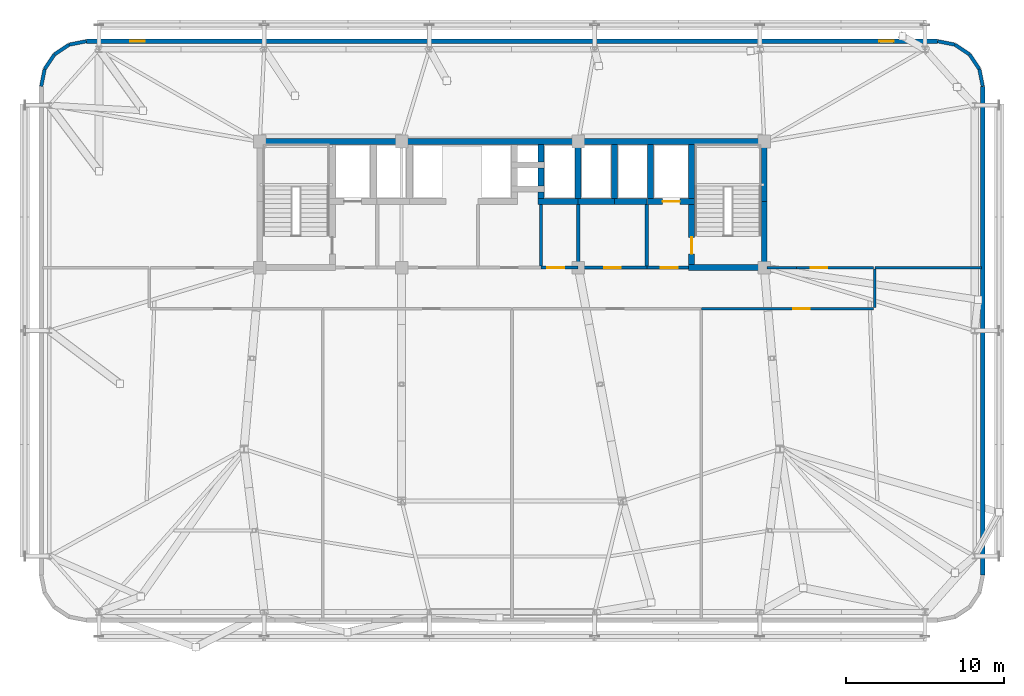
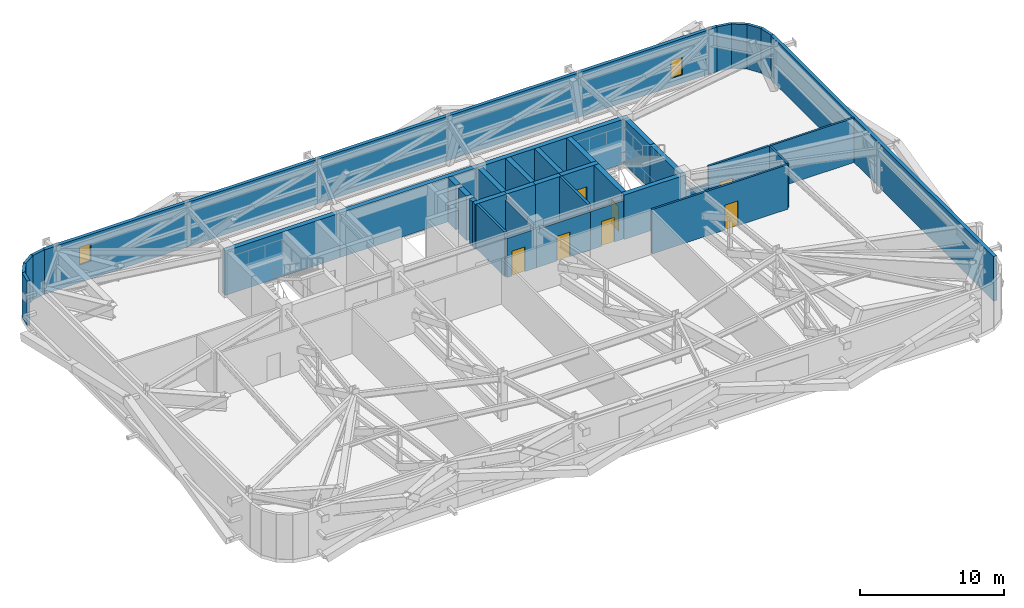
# One storey, part 22 of 24: 39 walls, 7 doors, 2 windows, 9 openings.
"""IFC4 building model written with IfcOpenShell, lengths in metres."""

from ifc_helpers import new_model, si_unit, direction, frame, frame_2d, origin, place, context, subcontext, project, spatial, rectangle, extrude, source, transform, mapped, material, layer, layer_set, type_object, element, fill, save


model = new_model("IFC4")

# Units and contexts
model_context = context("Model", 3, precision=1e-05, world=origin(), true_north=direction((0.0, 1.0)))
body_context = subcontext(model_context, "Body", "Model", "MODEL_VIEW")
ifc_project = project(units=[si_unit("LENGTHUNIT", "METRE"), si_unit("AREAUNIT", "SQUARE_METRE"), si_unit("VOLUMEUNIT", "CUBIC_METRE"), si_unit("PLANEANGLEUNIT", "RADIAN"), si_unit("MASSUNIT", "GRAM", prefix="KILO")], contexts=[model_context])

# Site, building, storey
site_placement = place(None, origin())
site = spatial("IfcSite", under=ifc_project, at=site_placement, CompositionType="ELEMENT")
building_placement = place(site_placement, origin())
building = spatial("IfcBuilding", under=site, at=building_placement, Name="Taldren Reach Tower", CompositionType="ELEMENT")
storey_placement = place(building_placement, frame((0.0, 0.0, 60.89990234375)))
storey = spatial("IfcBuildingStorey", under=building, at=storey_placement, Name="L18", CompositionType="ELEMENT", Elevation=60.89990234375)

# Walls
ifc_material_1 = material(Name="Pale Champagne Anodised Aluminium Cladding", Category="aluminium")
ifc_layer_1 = layer(ifc_material_1, 0.04, Name="Pale Champagne Anodised Aluminium Cladding", Category="aluminium")
ifc_material_2 = material(Name="Mineral Wool Acoustic Insulation", Category="insulation")
ifc_layer_2 = layer(ifc_material_2, 0.06, Name="Mineral Wool Acoustic Insulation", Category="insulation")
ifc_material_3 = material(Name="Steel Gr 350 (C350L0)", Category="steel")
ifc_layer_3 = layer(ifc_material_3, 0.12, Name="Steel Gr 350 (C350L0)", Category="steel")
ifc_layer_set_1 = layer_set([ifc_layer_1, ifc_layer_2, ifc_layer_3], Name="Pale Champagne Aluminium Cladding and Steel Gr 350 Stud Framing")
wall_type_1 = type_object("IfcWallType", Name="EW-CRN-220", PredefinedType="SOLIDWALL", material=ifc_layer_set_1)
shared_shape_1 = source(origin(), body_context, "Body", "SweptSolid", [
    extrude(rectangle(XDim=1.115966796875, YDim=0.219970703125, at=frame_2d((0.55810546875, 0.0))), origin(), (0.0, 0.0, 1.0), 3.780029296875),
])
for number, where, z_axis, x_axis, name in (
    (1, (64.860107421875, 35.5, 0.0), (0.0, 0.0, 1.0), (-0.195148375659, 0.98077373103, 0.0), "Rounded-corner pale-metal facade wall L18-NE1"),
    (2, (64.642333984375, 36.594482421875, 0.0), (0.0, 0.0, 1.0), (-0.555709556774, 0.83137650226, 0.0), "Rounded-corner pale-metal facade wall L18-NE2"),
    (3, (64.022216796875, 37.522216796875, 0.0), (0.0, 0.0, 1.0), (-0.83137650226, 0.555709556774, 0.0), "Rounded-corner pale-metal facade wall L18-NE3"),
    (4, (63.094482421875, 38.142333984375, 0.0), (0.0, 0.0, 1.0), (-0.98077373103, 0.195148375659, 0.0), "Rounded-corner pale-metal facade wall L18-NE4"),
    (5, (8.0, 38.360107421875, 0.0), (0.0, 0.0, 1.0), (-0.98077373103, -0.195148375659, 0.0), "Rounded-corner pale-metal facade wall L18-NW1"),
    (6, (6.905517578125, 38.142333984375, 0.0), (0.0, 0.0, 1.0), (-0.83137650226, -0.555709556774, 0.0), "Rounded-corner pale-metal facade wall L18-NW2"),
    (7, (5.977783203125, 37.522216796875, 0.0), (0.0, 0.0, 1.0), (-0.555709556774, -0.83137650226, 0.0), "Rounded-corner pale-metal facade wall L18-NW3"),
    (8, (5.357666015625, 36.594482421875, 0.0), (0.0, 0.0, 1.0), (-0.195148375659, -0.98077373103, 0.0), "Rounded-corner pale-metal facade wall L18-NW4"),
):
    element("IfcWall", number, at=place(storey_placement, frame(where, z_axis=z_axis, x_axis=x_axis)), inside=storey, type_object=wall_type_1, Name=name, PredefinedType="SOLIDWALL", context=body_context, shape_type="MappedRepresentation", body=[
        mapped(shared_shape_1, transform((0.0, 0.0, 0.0), scale=1.0)),
    ])

# Wall, openings, windows
ifc_material_4 = material(Name="Perforated Anodised Aluminium Acoustic Liner", Category="aluminium")
ifc_layer_4 = layer(ifc_material_4, 0.04, Name="Perforated Anodised Aluminium Acoustic Liner", Category="aluminium")
ifc_layer_5 = layer(ifc_material_2, 0.08, Name="Mineral Wool Acoustic Insulation", Category="insulation")
ifc_layer_6 = layer(ifc_material_3, 0.15, Name="Steel Gr 350 (C350L0)", Category="steel")
ifc_layer_set_2 = layer_set([ifc_layer_4, ifc_layer_5, ifc_layer_6], Name="Perforated Anodised Aluminium Liner and Steel Gr 350 Stud Framing")
wall_type_2 = type_object("IfcWallType", Name="EW-PLT-270", PredefinedType="SOLIDWALL", material=ifc_layer_set_2)
shared_shape_2 = source(origin(), body_context, "Body", "SweptSolid", [
    extrude(rectangle(XDim=54.0, YDim=0.27001953125, at=frame_2d((27.0, 0.0))), origin(), (0.0, 0.0, 1.0), 3.780029296875),
])
wall_1_placement = place(storey_placement, frame((62.0, 38.360107421875, 0.0), z_axis=(0.0, 0.0, 1.0), x_axis=(-1.0, 0.0, 0.0)))
wall_1 = element("IfcWall", 9, at=wall_1_placement, inside=storey, type_object=wall_type_2, Name="Plant floor perimeter enclosure wall L18-N", PredefinedType="SOLIDWALL", context=body_context, shape_type="MappedRepresentation", body=[
    mapped(shared_shape_2, transform((0.0, 0.0, 0.0), scale=1.0)),
])
shared_shape_3 = source(origin(), body_context, "Body", "SweptSolid", [
    extrude(rectangle(XDim=0.89990234375, YDim=1.5, at=frame_2d((0.449951171875, 0.75))), frame((0.0, 0.14501953125, 0.0), z_axis=(0.0, -1.0, 0.0), x_axis=(1.0, 0.0, 0.0)), (0.0, 0.0, 1.0), 0.2900390625),
])
opening_1_placement = place(wall_1_placement, frame((2.800048828125, 0.0, 0.699951171875)))
opening_1 = element("IfcOpeningElement", 10, at=opening_1_placement, cuts=wall_1, Name="Opening W-0915", PredefinedType="OPENING", context=body_context, shape_type="MappedRepresentation", body=[
    mapped(shared_shape_3, transform((0.0, 0.0, 0.0), scale=1.0)),
])
opening_2_placement = place(wall_1_placement, frame((50.300048828125, 0.0, 1.5)))
opening_2 = element("IfcOpeningElement", 11, at=opening_2_placement, cuts=wall_1, Name="Opening W-0915", PredefinedType="OPENING", context=body_context, shape_type="MappedRepresentation", body=[
    mapped(shared_shape_3, transform((0.0, 0.0, 0.0), scale=1.0)),
])
ifc_material_5 = material(Name="Thermally Broken Aluminium and Low-E IGU", Category="aluminium")
window_type = type_object("IfcWindowType", Name="WN-REF-0900", PartitioningType="SINGLE_PANEL", PredefinedType="WINDOW", material=ifc_material_5)
shared_shape_4 = source(origin(), body_context, "Body", "SweptSolid", [
    extrude(rectangle(XDim=0.89990234375, YDim=1.5, at=frame_2d((0.449951171875, 0.75))), frame((0.0, 0.030029296875, 0.0), z_axis=(0.0, -1.0, 0.0), x_axis=(1.0, 0.0, 0.0)), (0.0, 0.0, 1.0), 0.06005859375),
])
window_1_placement = place(opening_1_placement, origin())
window_1 = element("IfcWindow", 12, at=window_1_placement, inside=storey, type_object=window_type, Name="Refuge area daylight window L18-1", OverallHeight=1.5, OverallWidth=0.89990234375, PartitioningType="SINGLE_PANEL", PredefinedType="WINDOW", context=body_context, shape_type="MappedRepresentation", body=[
    mapped(shared_shape_4, transform((0.0, 0.0, 0.0), scale=1.0)),
])
fill(opening_1, window_1)
window_2_placement = place(opening_2_placement, origin())
window_2 = element("IfcWindow", 13, at=window_2_placement, inside=storey, type_object=window_type, Name="Refuge area daylight window L18-2", OverallHeight=1.5, OverallWidth=0.89990234375, PartitioningType="SINGLE_PANEL", PredefinedType="WINDOW", context=body_context, shape_type="MappedRepresentation", body=[
    mapped(shared_shape_4, transform((0.0, 0.0, 0.0), scale=1.0)),
])
fill(opening_2, window_2)

# Walls
shared_shape_5 = source(origin(), body_context, "Body", "SweptSolid", [
    extrude(rectangle(XDim=31.0, YDim=0.27001953125, at=frame_2d((15.5, 0.0))), origin(), (0.0, 0.0, 1.0), 3.780029296875),
])
wall_2_placement = place(storey_placement, frame((64.860107421875, 4.5, 0.0), z_axis=(0.0, 0.0, 1.0), x_axis=(0.0, 1.0, 0.0)))
element("IfcWall", 14, at=wall_2_placement, inside=storey, type_object=wall_type_2, Name="Plant floor perimeter enclosure wall L18-E", PredefinedType="SOLIDWALL", context=body_context, shape_type="MappedRepresentation", body=[
    mapped(shared_shape_5, transform((0.0, 0.0, 0.0), scale=1.0)),
])
ifc_material_6 = material(Name="Concrete S80 (80 MPa)", Category="concrete")
ifc_layer_7 = layer(ifc_material_6, 0.3798828125)
ifc_layer_set_3 = layer_set([ifc_layer_7], Name="Concrete S80 (80 MPa)")
wall_type_3 = type_object("IfcWallType", Name="IW-CORE-380", PredefinedType="SHEAR", material=ifc_layer_set_3)
shared_shape_6 = source(origin(), body_context, "Body", "SweptSolid", [
    extrude(rectangle(XDim=9.18994140625, YDim=0.3798828125, at=frame_2d((4.594970703125, 0.0))), origin(), (0.0, 0.0, 1.0), 3.780029296875),
])
wall_3_placement = place(storey_placement, frame((18.81005859375, 32.0, 0.0), z_axis=(0.0, 0.0, 1.0), x_axis=(1.0, 0.0, 0.0)))
element("IfcWall", 15, at=wall_3_placement, inside=storey, type_object=wall_type_3, Name="Rear Core Shear Wall W-CORE-L18-NORTH1", PredefinedType="SHEAR", context=body_context, shape_type="MappedRepresentation", body=[
    mapped(shared_shape_6, transform((0.0, 0.0, 0.0), scale=1.0)),
])
shared_shape_7 = source(origin(), body_context, "Body", "SweptSolid", [
    extrude(rectangle(XDim=11.199951171875, YDim=0.3798828125, at=frame_2d((5.60009765625, 0.0))), origin(), (0.0, 0.0, 1.0), 3.780029296875),
])
wall_4_placement = place(storey_placement, frame((28.0, 32.0, 0.0), z_axis=(0.0, 0.0, 1.0), x_axis=(1.0, 0.0, 0.0)))
element("IfcWall", 16, at=wall_4_placement, inside=storey, type_object=wall_type_3, Name="Rear Core Shear Wall W-CORE-L18-NORTH2", PredefinedType="SHEAR", context=body_context, shape_type="MappedRepresentation", body=[
    mapped(shared_shape_7, transform((0.0, 0.0, 0.0), scale=1.0)),
])
shared_shape_8 = source(origin(), body_context, "Body", "SweptSolid", [
    extrude(rectangle(XDim=11.989990234375, YDim=0.3798828125, at=frame_2d((5.9951171875, 0.0))), origin(), (0.0, 0.0, 1.0), 3.780029296875),
])
wall_5_placement = place(storey_placement, frame((39.199951171875, 32.0, 0.0), z_axis=(0.0, 0.0, 1.0), x_axis=(1.0, 0.0, 0.0)))
element("IfcWall", 17, at=wall_5_placement, inside=storey, type_object=wall_type_3, Name="Rear Core Shear Wall W-CORE-L18-NORTH3", PredefinedType="SHEAR", context=body_context, shape_type="MappedRepresentation", body=[
    mapped(shared_shape_8, transform((0.0, 0.0, 0.0), scale=1.0)),
])
shared_shape_9 = source(origin(), body_context, "Body", "SweptSolid", [
    extrude(rectangle(XDim=4.010009765625, YDim=0.3798828125, at=frame_2d((2.0048828125, 0.0))), origin(), (0.0, 0.0, 1.0), 3.780029296875),
])
wall_6_placement = place(storey_placement, frame((51.0, 24.18994140625, 0.0), z_axis=(0.0, 0.0, 1.0), x_axis=(0.0, 1.0, 0.0)))
element("IfcWall", 18, at=wall_6_placement, inside=storey, type_object=wall_type_3, Name="Rear Core Shear Wall W-CORE-L18-EAST1", PredefinedType="SHEAR", context=body_context, shape_type="MappedRepresentation", body=[
    mapped(shared_shape_9, transform((0.0, 0.0, 0.0), scale=1.0)),
])
shared_shape_10 = source(origin(), body_context, "Body", "SweptSolid", [
    extrude(rectangle(XDim=3.610107421875, YDim=0.3798828125, at=frame_2d((1.80517578125, 0.0))), origin(), (0.0, 0.0, 1.0), 3.780029296875),
])
wall_7_placement = place(storey_placement, frame((51.0, 28.199951171875, 0.0), z_axis=(0.0, 0.0, 1.0), x_axis=(0.0, 1.0, 0.0)))
element("IfcWall", 19, at=wall_7_placement, inside=storey, type_object=wall_type_3, Name="Rear Core Shear Wall W-CORE-L18-EAST2", PredefinedType="SHEAR", context=body_context, shape_type="MappedRepresentation", body=[
    mapped(shared_shape_10, transform((0.0, 0.0, 0.0), scale=1.0)),
])
shared_shape_11 = source(origin(), body_context, "Body", "SweptSolid", [
    extrude(rectangle(XDim=3.420166015625, YDim=0.3798828125, at=frame_2d((1.7099609375, 0.0))), origin(), (0.0, 0.0, 1.0), 3.780029296875),
])
for number, where, z_axis, x_axis, name in (
    (20, (46.39990234375, 31.81005859375, 0.0), (0.0, 0.0, 1.0), (0.0, -1.0, 0.0), "Rear Core Shear Wall W-INT-L18-008"),
    (21, (43.800048828125, 31.81005859375, 0.0), (0.0, 0.0, 1.0), (0.0, -1.0, 0.0), "Rear Core Shear Wall W-INT-L18-012"),
    (22, (39.199951171875, 28.389892578125, 0.0), (0.0, 0.0, 1.0), (0.0, 1.0, 0.0), "Rear Core Shear Wall W-INT-L18-026"),
    (23, (41.5, 28.389892578125, 0.0), (0.0, 0.0, 1.0), (0.0, 1.0, 0.0), "Rear Core Shear Wall W-INT-L18-029"),
):
    element("IfcWall", number, at=place(storey_placement, frame(where, z_axis=z_axis, x_axis=x_axis)), inside=storey, type_object=wall_type_3, Name=name, PredefinedType="SHEAR", context=body_context, shape_type="MappedRepresentation", body=[
        mapped(shared_shape_11, transform((0.0, 0.0, 0.0), scale=1.0)),
    ])

# Wall, opening, door
shared_shape_12 = source(origin(), body_context, "Body", "SweptSolid", [
    extrude(rectangle(XDim=3.820068359375, YDim=0.3798828125, at=frame_2d((1.91015625, 0.0))), origin(), (0.0, 0.0, 1.0), 3.780029296875),
])
wall_8_placement = place(storey_placement, frame((46.39990234375, 28.010009765625, 0.0), z_axis=(0.0, 0.0, 1.0), x_axis=(0.0, -1.0, 0.0)))
wall_8 = element("IfcWall", 24, at=wall_8_placement, inside=storey, type_object=wall_type_3, Name="Rear Core Shear Wall W-INT-L18-009", PredefinedType="SHEAR", context=body_context, shape_type="MappedRepresentation", body=[
    mapped(shared_shape_12, transform((0.0, 0.0, 0.0), scale=1.0)),
])
shared_shape_13 = source(origin(), body_context, "Body", "SweptSolid", [
    extrude(rectangle(XDim=1.050048828125, YDim=2.10009765625, at=frame_2d((0.52490234375, 1.050048828125))), frame((0.0, 0.199951171875, 0.0), z_axis=(0.0, -1.0, 0.0), x_axis=(1.0, 0.0, 0.0)), (0.0, 0.0, 1.0), 0.39990234375),
])
opening_3_placement = place(wall_8_placement, frame((2.0849609375, 0.0, 0.0)))
opening_3 = element("IfcOpeningElement", 25, at=opening_3_placement, cuts=wall_8, Name="Opening DF-105", PredefinedType="OPENING", context=body_context, shape_type="MappedRepresentation", body=[
    mapped(shared_shape_13, transform((0.0, 0.0, 0.0), scale=1.0)),
])
ifc_material_7 = material(Name="Fire-Rated Care and Stair Exit Door")
door_type_1 = type_object("IfcDoorType", Name="ID-FIRE-105", OperationType="NOTDEFINED", PredefinedType="DOOR", material=ifc_material_7)
shared_shape_14 = source(origin(), body_context, "Body", "SweptSolid", [
    extrude(rectangle(XDim=1.050048828125, YDim=2.10009765625, at=frame_2d((0.52490234375, 1.050048828125))), frame((0.0, 0.02490234375, 0.0), z_axis=(0.0, -1.0, 0.0), x_axis=(1.0, 0.0, 0.0)), (0.0, 0.0, 1.0), 0.050048828125),
])
door_1_placement = place(opening_3_placement, origin())
door_1 = element("IfcDoor", 26, at=door_1_placement, inside=storey, type_object=door_type_1, Name="Fire Exit Stair Door DR-L18-003", OperationType="SINGLE_SWING_RIGHT", OverallHeight=2.10009765625, OverallWidth=1.050048828125, PredefinedType="DOOR", context=body_context, shape_type="MappedRepresentation", body=[
    mapped(shared_shape_14, transform((0.0, 0.0, 0.0), scale=1.0)),
])
fill(opening_3, door_1)

# Wall
shared_shape_15 = source(origin(), body_context, "Body", "SweptSolid", [
    extrude(rectangle(XDim=4.97998046875, YDim=0.3798828125, at=frame_2d((2.489990234375, 0.0))), origin(), (0.0, 0.0, 1.0), 3.780029296875),
])
wall_9_placement = place(storey_placement, frame((46.2099609375, 24.0, 0.0), z_axis=(0.0, 0.0, 1.0), x_axis=(1.0, 0.0, 0.0)))
element("IfcWall", 27, at=wall_9_placement, inside=storey, type_object=wall_type_3, Name="Rear Core Shear Wall W-INT-L18-010", PredefinedType="SHEAR", context=body_context, shape_type="MappedRepresentation", body=[
    mapped(shared_shape_15, transform((0.0, 0.0, 0.0), scale=1.0)),
])

# Wall, opening, door
shared_shape_16 = source(origin(), body_context, "Body", "SweptSolid", [
    extrude(rectangle(XDim=2.97998046875, YDim=0.3798828125, at=frame_2d((1.489990234375, 0.0))), origin(), (0.0, 0.0, 1.0), 3.780029296875),
])
wall_10_placement = place(storey_placement, frame((43.610107421875, 28.199951171875, 0.0), z_axis=(0.0, 0.0, 1.0), x_axis=(1.0, 0.0, 0.0)))
wall_10 = element("IfcWall", 28, at=wall_10_placement, inside=storey, type_object=wall_type_3, Name="Rear Core Shear Wall W-INT-L18-011", PredefinedType="SHEAR", context=body_context, shape_type="MappedRepresentation", body=[
    mapped(shared_shape_16, transform((0.0, 0.0, 0.0), scale=1.0)),
])
shared_shape_17 = source(origin(), body_context, "Body", "SweptSolid", [
    extrude(rectangle(XDim=1.10009765625, YDim=2.14990234375, at=frame_2d((0.550048828125, 1.074951171875))), frame((0.0, 0.199951171875, 0.0), z_axis=(0.0, -1.0, 0.0), x_axis=(1.0, 0.0, 0.0)), (0.0, 0.0, 1.0), 0.39990234375),
])
opening_4_placement = place(wall_10_placement, frame((0.93994140625, 0.0, 0.0)))
opening_4 = element("IfcOpeningElement", 29, at=opening_4_placement, cuts=wall_10, Name="Opening LD-FL2", PredefinedType="OPENING", context=body_context, shape_type="MappedRepresentation", body=[
    mapped(shared_shape_17, transform((0.0, 0.0, 0.0), scale=1.0)),
])
ifc_material_8 = material(Name="Stainless Steel Gr 316 Emergency Lift Landing Door", Category="steel")
door_type_2 = type_object("IfcDoorType", Name="LD-EMG-110", OperationType="SLIDING_TO_LEFT", PredefinedType="DOOR", material=ifc_material_8)
shared_shape_18 = source(origin(), body_context, "Body", "SweptSolid", [
    extrude(rectangle(XDim=1.10009765625, YDim=2.14990234375, at=frame_2d((0.550048828125, 1.074951171875))), frame((0.0, 0.02490234375, 0.0), z_axis=(0.0, -1.0, 0.0), x_axis=(1.0, 0.0, 0.0)), (0.0, 0.0, 1.0), 0.050048828125),
])
door_2_placement = place(opening_4_placement, origin())
door_2 = element("IfcDoor", 30, at=door_2_placement, inside=storey, type_object=door_type_2, Name="Lift Landing Door LD-FL2-L18", OperationType="SLIDING_TO_LEFT", OverallHeight=2.14990234375, OverallWidth=1.10009765625, PredefinedType="DOOR", context=body_context, shape_type="MappedRepresentation", body=[
    mapped(shared_shape_18, transform((0.0, 0.0, 0.0), scale=1.0)),
])
fill(opening_4, door_2)

# Walls
ifc_material_9 = material(Name="Concrete S50 (50 MPa)", Category="concrete")
ifc_layer_8 = layer(ifc_material_9, 0.199951171875)
ifc_layer_set_4 = layer_set([ifc_layer_8], Name="Concrete S50 (50 MPa)")
wall_type_4 = type_object("IfcWallType", Name="IW-CORE-200", PredefinedType="SOLIDWALL", material=ifc_layer_set_4)
shared_shape_19 = source(origin(), body_context, "Body", "SweptSolid", [
    extrude(rectangle(XDim=3.909912109375, YDim=0.199951171875, at=frame_2d((1.955078125, 0.0))), origin(), (0.0, 0.0, 1.0), 3.780029296875),
])
for number, where, z_axis, x_axis, name in (
    (31, (43.550048828125, 28.010009765625, 0.0), (0.0, 0.0, 1.0), (0.0, -1.0, 0.0), "Rear Core Shear Wall W-INT-L18-013"),
    (32, (36.85009765625, 28.010009765625, 0.0), (0.0, 0.0, 1.0), (0.0, -1.0, 0.0), "Rear Core Shear Wall W-INT-L18-034"),
):
    element("IfcWall", number, at=place(storey_placement, frame(where, z_axis=z_axis, x_axis=x_axis)), inside=storey, type_object=wall_type_4, Name=name, PredefinedType="SOLIDWALL", context=body_context, shape_type="MappedRepresentation", body=[
        mapped(shared_shape_19, transform((0.0, 0.0, 0.0), scale=1.0)),
    ])

# Wall, opening, door
shared_shape_20 = source(origin(), body_context, "Body", "SweptSolid", [
    extrude(rectangle(XDim=2.659912109375, YDim=0.199951171875, at=frame_2d((1.330078125, 0.0))), origin(), (0.0, 0.0, 1.0), 3.2470703125),
])
wall_11_placement = place(storey_placement, frame((43.550048828125, 24.0, 0.0), z_axis=(0.0, 0.0, 1.0), x_axis=(1.0, 0.0, 0.0)))
wall_11 = element("IfcWall", 33, at=wall_11_placement, inside=storey, type_object=wall_type_4, Name="Rear Core Shear Wall W-INT-L18-014", PredefinedType="SOLIDWALL", context=body_context, shape_type="MappedRepresentation", body=[
    mapped(shared_shape_20, transform((0.0, 0.0, 0.0), scale=1.0)),
])
shared_shape_21 = source(origin(), body_context, "Body", "SweptSolid", [
    extrude(rectangle(XDim=1.050048828125, YDim=2.10009765625, at=frame_2d((0.52490234375, 1.050048828125))), frame((0.0, 0.10986328125, 0.0), z_axis=(0.0, -1.0, 0.0), x_axis=(1.0, 0.0, 0.0)), (0.0, 0.0, 1.0), 0.219970703125),
])
opening_5_placement = place(wall_11_placement, frame((0.89990234375, 0.0, 0.0)))
opening_5 = element("IfcOpeningElement", 34, at=opening_5_placement, cuts=wall_11, Name="Opening DF-105", PredefinedType="OPENING", context=body_context, shape_type="MappedRepresentation", body=[
    mapped(shared_shape_21, transform((0.0, 0.0, 0.0), scale=1.0)),
])
door_3_placement = place(opening_5_placement, origin())
door_3 = element("IfcDoor", 35, at=door_3_placement, inside=storey, type_object=door_type_1, Name="Interior Door DR-L18-004", OperationType="SINGLE_SWING_LEFT", OverallHeight=2.10009765625, OverallWidth=1.050048828125, PredefinedType="DOOR", context=body_context, shape_type="MappedRepresentation", body=[
    mapped(shared_shape_14, transform((0.0, 0.0, 0.0), scale=1.0)),
])
fill(opening_5, door_3)

# Walls
shared_shape_22 = source(origin(), body_context, "Body", "SweptSolid", [
    extrude(rectangle(XDim=1.1201171875, YDim=0.3798828125, at=frame_2d((0.56005859375, 0.0))), origin(), (0.0, 0.0, 1.0), 3.780029296875),
])
for number, where, z_axis, x_axis, name in (
    (36, (36.85009765625, 30.68994140625, 0.0), (0.0, 0.0, 1.0), (0.0, 1.0, 0.0), "Rear Core Shear Wall W-INT-L18-017"),
    (37, (36.85009765625, 29.18994140625, 0.0), (0.0, 0.0, 1.0), (0.0, 1.0, 0.0), "Rear Core Shear Wall W-INT-L18-019"),
):
    element("IfcWall", number, at=place(storey_placement, frame(where, z_axis=z_axis, x_axis=x_axis)), inside=storey, type_object=wall_type_3, Name=name, PredefinedType="SHEAR", context=body_context, shape_type="MappedRepresentation", body=[
        mapped(shared_shape_22, transform((0.0, 0.0, 0.0), scale=1.0)),
    ])
shared_shape_23 = source(origin(), body_context, "Body", "SweptSolid", [
    extrude(rectangle(XDim=2.070068359375, YDim=0.3798828125, at=frame_2d((1.03515625, 0.0))), origin(), (0.0, 0.0, 1.0), 3.780029296875),
])
wall_12_placement = place(storey_placement, frame((41.5, 28.199951171875, 0.0), z_axis=(0.0, 0.0, 1.0), x_axis=(1.0, 0.0, 0.0)))
element("IfcWall", 38, at=wall_12_placement, inside=storey, type_object=wall_type_3, Name="Rear Core Shear Wall W-INT-L18-031", PredefinedType="SHEAR", context=body_context, shape_type="MappedRepresentation", body=[
    mapped(shared_shape_23, transform((0.0, 0.0, 0.0), scale=1.0)),
])
shared_shape_24 = source(origin(), body_context, "Body", "SweptSolid", [
    extrude(rectangle(XDim=2.300048828125, YDim=0.3798828125, at=frame_2d((1.14990234375, 0.0))), origin(), (0.0, 0.0, 1.0), 3.780029296875),
])
wall_13_placement = place(storey_placement, frame((39.199951171875, 28.199951171875, 0.0), z_axis=(0.0, 0.0, 1.0), x_axis=(1.0, 0.0, 0.0)))
element("IfcWall", 39, at=wall_13_placement, inside=storey, type_object=wall_type_3, Name="Rear Core Shear Wall W-INT-L18-030", PredefinedType="SHEAR", context=body_context, shape_type="MappedRepresentation", body=[
    mapped(shared_shape_24, transform((0.0, 0.0, 0.0), scale=1.0)),
])
shared_shape_25 = source(origin(), body_context, "Body", "SweptSolid", [
    extrude(rectangle(XDim=0.420166015625, YDim=0.3798828125, at=frame_2d((0.2099609375, 0.0))), origin(), (0.0, 0.0, 1.0), 3.780029296875),
])
wall_14_placement = place(storey_placement, frame((36.85009765625, 28.81005859375, 0.0), z_axis=(0.0, 0.0, 1.0), x_axis=(0.0, -1.0, 0.0)))
element("IfcWall", 40, at=wall_14_placement, inside=storey, type_object=wall_type_3, Name="Rear Core Shear Wall W-INT-L18-027", PredefinedType="SHEAR", context=body_context, shape_type="MappedRepresentation", body=[
    mapped(shared_shape_25, transform((0.0, 0.0, 0.0), scale=1.0)),
])
shared_shape_26 = source(origin(), body_context, "Body", "SweptSolid", [
    extrude(rectangle(XDim=2.5400390625, YDim=0.3798828125, at=frame_2d((1.27001953125, 0.0))), origin(), (0.0, 0.0, 1.0), 3.780029296875),
])
wall_15_placement = place(storey_placement, frame((36.659912109375, 28.199951171875, 0.0), z_axis=(0.0, 0.0, 1.0), x_axis=(1.0, 0.0, 0.0)))
element("IfcWall", 41, at=wall_15_placement, inside=storey, type_object=wall_type_3, Name="Rear Core Shear Wall W-INT-L18-028", PredefinedType="SHEAR", context=body_context, shape_type="MappedRepresentation", body=[
    mapped(shared_shape_26, transform((0.0, 0.0, 0.0), scale=1.0)),
])
shared_shape_27 = source(origin(), body_context, "Body", "SweptSolid", [
    extrude(rectangle(XDim=3.909912109375, YDim=0.199951171875, at=frame_2d((1.955078125, 0.0))), origin(), (0.0, 0.0, 1.0), 3.320068359375),
])
wall_16_placement = place(storey_placement, frame((39.199951171875, 28.010009765625, 0.0), z_axis=(0.0, 0.0, 1.0), x_axis=(0.0, -1.0, 0.0)))
element("IfcWall", 42, at=wall_16_placement, inside=storey, type_object=wall_type_4, Name="Rear Core Shear Wall W-INT-L18-036", PredefinedType="SOLIDWALL", context=body_context, shape_type="MappedRepresentation", body=[
    mapped(shared_shape_27, transform((0.0, 0.0, 0.0), scale=1.0)),
])

# Wall, opening, door
shared_shape_28 = source(origin(), body_context, "Body", "SweptSolid", [
    extrude(rectangle(XDim=2.349853515625, YDim=0.199951171875, at=frame_2d((1.1748046875, 0.0))), origin(), (0.0, 0.0, 1.0), 3.320068359375),
])
wall_17_placement = place(storey_placement, frame((39.199951171875, 24.0, 0.0), z_axis=(0.0, 0.0, 1.0), x_axis=(-1.0, 0.0, 0.0)))
wall_17 = element("IfcWall", 43, at=wall_17_placement, inside=storey, type_object=wall_type_4, Name="Rear Core Shear Wall W-INT-L18-037", PredefinedType="SOLIDWALL", context=body_context, shape_type="MappedRepresentation", body=[
    mapped(shared_shape_28, transform((0.0, 0.0, 0.0), scale=1.0)),
])
opening_6_placement = place(wall_17_placement, frame((0.89990234375, 0.0, 0.0)))
opening_6 = element("IfcOpeningElement", 44, at=opening_6_placement, cuts=wall_17, Name="Opening DF-105", PredefinedType="OPENING", context=body_context, shape_type="MappedRepresentation", body=[
    mapped(shared_shape_21, transform((0.0, 0.0, 0.0), scale=1.0)),
])
door_4_placement = place(opening_6_placement, frame((1.050048828125, 0.0, 0.0), z_axis=(0.0, 0.0, 1.0), x_axis=(-1.0, 0.0, 0.0)))
door_4 = element("IfcDoor", 45, at=door_4_placement, inside=storey, type_object=door_type_1, Name="Interior Door DR-L18-007", OperationType="SINGLE_SWING_LEFT", OverallHeight=2.10009765625, OverallWidth=1.050048828125, PredefinedType="DOOR", context=body_context, shape_type="MappedRepresentation", body=[
    mapped(shared_shape_14, transform((0.0, 0.0, 0.0), scale=1.0)),
])
fill(opening_6, door_4)

shared_shape_29 = source(origin(), body_context, "Body", "SweptSolid", [
    extrude(rectangle(XDim=4.35009765625, YDim=0.199951171875, at=frame_2d((2.175048828125, 0.0))), origin(), (0.0, 0.0, 1.0), 3.2470703125),
])
wall_18_placement = place(storey_placement, frame((43.550048828125, 24.0, 0.0), z_axis=(0.0, 0.0, 1.0), x_axis=(-1.0, 0.0, 0.0)))
wall_18 = element("IfcWall", 46, at=wall_18_placement, inside=storey, type_object=wall_type_4, Name="Rear Core Shear Wall W-INT-L18-038", PredefinedType="SOLIDWALL", context=body_context, shape_type="MappedRepresentation", body=[
    mapped(shared_shape_29, transform((0.0, 0.0, 0.0), scale=1.0)),
])
opening_7_placement = place(wall_18_placement, frame((1.64990234375, 0.0, 0.0)))
opening_7 = element("IfcOpeningElement", 47, at=opening_7_placement, cuts=wall_18, Name="Opening DF-105", PredefinedType="OPENING", context=body_context, shape_type="MappedRepresentation", body=[
    mapped(shared_shape_21, transform((0.0, 0.0, 0.0), scale=1.0)),
])
door_5_placement = place(opening_7_placement, frame((1.050048828125, 0.0, 0.0), z_axis=(0.0, 0.0, 1.0), x_axis=(-1.0, 0.0, 0.0)))
door_5 = element("IfcDoor", 48, at=door_5_placement, inside=storey, type_object=door_type_1, Name="Interior Door DR-L18-008", OperationType="SINGLE_SWING_RIGHT", OverallHeight=2.10009765625, OverallWidth=1.050048828125, PredefinedType="DOOR", context=body_context, shape_type="MappedRepresentation", body=[
    mapped(shared_shape_14, transform((0.0, 0.0, 0.0), scale=1.0)),
])
fill(opening_7, door_5)

# Wall
ifc_material_10 = material(Name="Fire-Rated Acoustic Plasterboard Stud Wall", Category="gypsum")
ifc_layer_9 = layer(ifc_material_10, 0.159912109375)
ifc_layer_set_5 = layer_set([ifc_layer_9], Name="Fire-Rated Acoustic Plasterboard Stud Wall")
wall_type_5 = type_object("IfcWallType", Name="IW-FIRE-160", PredefinedType="PARTITIONING", material=ifc_layer_set_5)
shared_shape_30 = source(origin(), body_context, "Body", "SweptSolid", [
    extrude(rectangle(XDim=1.864501953125, YDim=0.159912109375, at=frame_2d((0.93212890625, 0.0))), origin(), (0.0, 0.0, 1.0), 2.280029296875),
])
wall_19_placement = place(storey_placement, frame((51.18994140625, 24.0, 0.0), z_axis=(0.0, 0.0, 1.0), x_axis=(1.0, 0.0, 0.0)))
element("IfcWall", 49, at=wall_19_placement, inside=storey, type_object=wall_type_5, Name="Interior Partition Wall W-INT-L18-040", PredefinedType="PARTITIONING", context=body_context, shape_type="MappedRepresentation", body=[
    mapped(shared_shape_30, transform((0.0, 0.0, 0.0), scale=1.0)),
])

# Wall, opening, door
shared_shape_31 = source(origin(), body_context, "Body", "SweptSolid", [
    extrude(rectangle(XDim=4.865478515625, YDim=0.159912109375, at=frame_2d((2.4326171875, 0.0))), origin(), (0.0, 0.0, 1.0), 3.780029296875),
])
wall_20_placement = place(storey_placement, frame((53.054443359375, 24.0, 0.0), z_axis=(0.0, 0.0, 1.0), x_axis=(1.0, 0.0, 0.0)))
wall_20 = element("IfcWall", 50, at=wall_20_placement, inside=storey, type_object=wall_type_5, Name="Interior Partition Wall W-INT-L18-040 part 2", PredefinedType="PARTITIONING", context=body_context, shape_type="MappedRepresentation", body=[
    mapped(shared_shape_31, transform((0.0, 0.0, 0.0), scale=1.0)),
])
shared_shape_32 = source(origin(), body_context, "Body", "SweptSolid", [
    extrude(rectangle(XDim=1.050048828125, YDim=2.10009765625, at=frame_2d((0.52490234375, 1.050048828125))), frame((0.0, 0.08984375, 0.0), z_axis=(0.0, -1.0, 0.0), x_axis=(1.0, 0.0, 0.0)), (0.0, 0.0, 1.0), 0.179931640625),
])
opening_8_placement = place(wall_20_placement, frame((0.890625, 0.0, 0.0)))
opening_8 = element("IfcOpeningElement", 51, at=opening_8_placement, cuts=wall_20, Name="Opening DF-105", PredefinedType="OPENING", context=body_context, shape_type="MappedRepresentation", body=[
    mapped(shared_shape_32, transform((0.0, 0.0, 0.0), scale=1.0)),
])
door_6_placement = place(opening_8_placement, origin())
door_6 = element("IfcDoor", 52, at=door_6_placement, inside=storey, type_object=door_type_1, Name="Interior Door DR-L18-010", OperationType="SINGLE_SWING_LEFT", OverallHeight=2.10009765625, OverallWidth=1.050048828125, PredefinedType="DOOR", context=body_context, shape_type="MappedRepresentation", body=[
    mapped(shared_shape_14, transform((0.0, 0.0, 0.0), scale=1.0)),
])
fill(opening_8, door_6)

shared_shape_33 = source(origin(), body_context, "Body", "SweptSolid", [
    extrude(rectangle(XDim=10.899658203125, YDim=0.159912109375, at=frame_2d((5.44970703125, 0.0))), origin(), (0.0, 0.0, 1.0), 3.780029296875),
])
wall_21_placement = place(storey_placement, frame((57.919921875, 21.39990234375, 0.0), z_axis=(0.0, 0.0, 1.0), x_axis=(-1.0, 0.0, 0.0)))
wall_21 = element("IfcWall", 53, at=wall_21_placement, inside=storey, type_object=wall_type_5, Name="Interior Partition Wall W-INT-L18-045", PredefinedType="PARTITIONING", context=body_context, shape_type="MappedRepresentation", body=[
    mapped(shared_shape_33, transform((0.0, 0.0, 0.0), scale=1.0)),
])
opening_9_placement = place(wall_21_placement, frame((4.02490234375, 0.0, 0.0)))
opening_9 = element("IfcOpeningElement", 54, at=opening_9_placement, cuts=wall_21, Name="Opening DF-105", PredefinedType="OPENING", context=body_context, shape_type="MappedRepresentation", body=[
    mapped(shared_shape_32, transform((0.0, 0.0, 0.0), scale=1.0)),
])
door_7_placement = place(opening_9_placement, origin())
door_7 = element("IfcDoor", 55, at=door_7_placement, inside=storey, type_object=door_type_1, Name="Interior Door DR-L18-014", OperationType="SINGLE_SWING_LEFT", OverallHeight=2.10009765625, OverallWidth=1.050048828125, PredefinedType="DOOR", context=body_context, shape_type="MappedRepresentation", body=[
    mapped(shared_shape_14, transform((0.0, 0.0, 0.0), scale=1.0)),
])
fill(opening_9, door_7)

# Walls
shared_shape_34 = source(origin(), body_context, "Body", "SweptSolid", [
    extrude(rectangle(XDim=2.43994140625, YDim=0.159912109375, at=frame_2d((1.219970703125, 0.0))), origin(), (0.0, 0.0, 1.0), 3.780029296875),
])
wall_22_placement = place(storey_placement, frame((58.0, 23.919921875, 0.0), z_axis=(0.0, 0.0, 1.0), x_axis=(0.0, -1.0, 0.0)))
element("IfcWall", 56, at=wall_22_placement, inside=storey, type_object=wall_type_5, Name="Interior Partition Wall W-INT-L18-046", PredefinedType="PARTITIONING", context=body_context, shape_type="MappedRepresentation", body=[
    mapped(shared_shape_34, transform((0.0, 0.0, 0.0), scale=1.0)),
])
shared_shape_35 = source(origin(), body_context, "Body", "SweptSolid", [
    extrude(rectangle(XDim=6.749755859375, YDim=0.159912109375, at=frame_2d((3.375, 0.0))), origin(), (0.0, 0.0, 1.0), 3.780029296875),
])
wall_23_placement = place(storey_placement, frame((64.77001953125, 24.0, 0.0), z_axis=(0.0, 0.0, 1.0), x_axis=(-1.0, 0.0, 0.0)))
element("IfcWall", 57, at=wall_23_placement, inside=storey, type_object=wall_type_5, Name="Interior Partition Wall W-INT-L18-048", PredefinedType="PARTITIONING", context=body_context, shape_type="MappedRepresentation", body=[
    mapped(shared_shape_35, transform((0.0, 0.0, 0.0), scale=1.0)),
])

save(model, "model.ifc")
